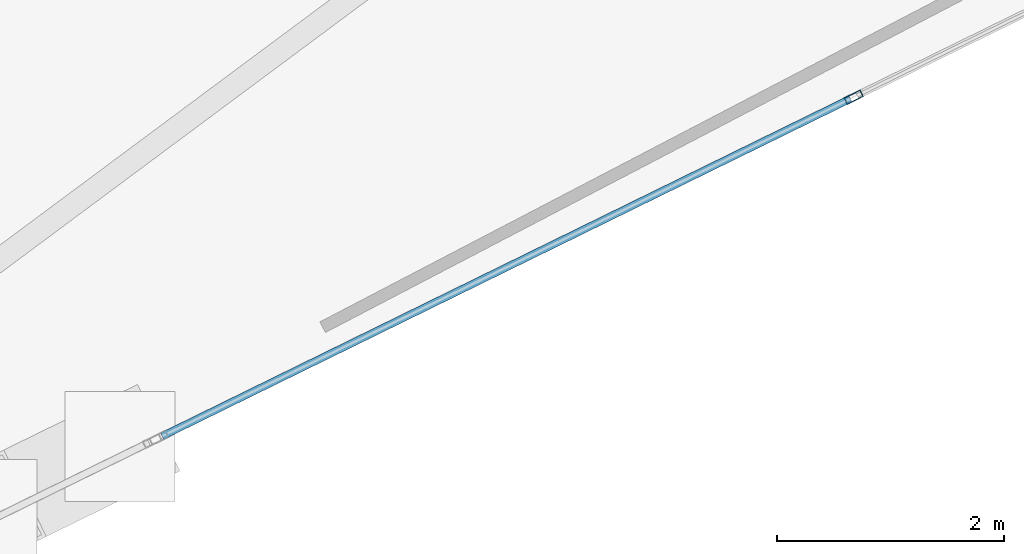
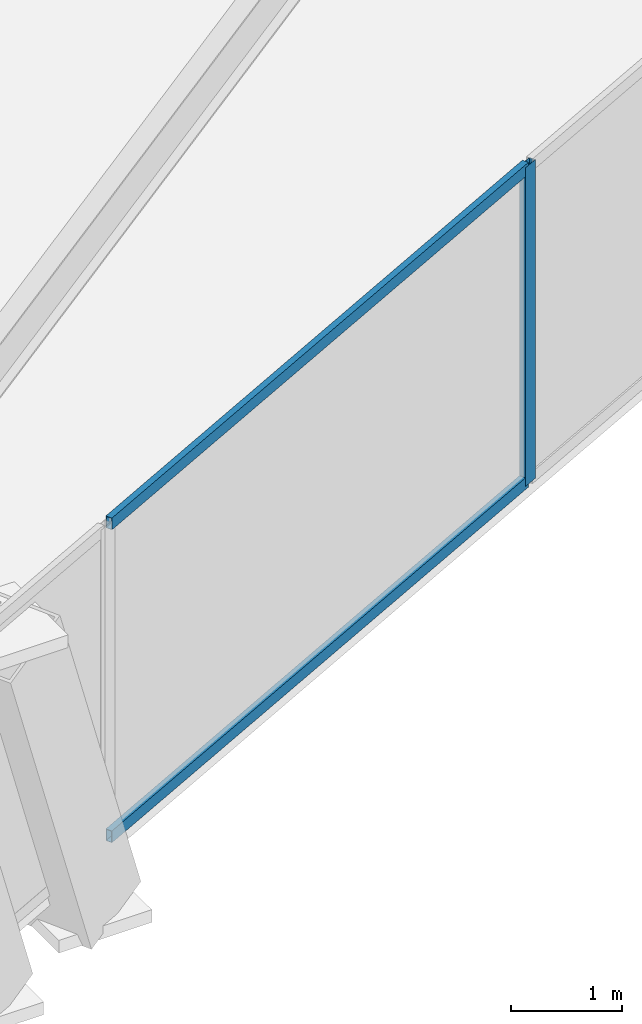
# One storey, part 7 of 22: 3 members, 1 element without a shape of its own.
"""IFC4 building model written with IfcOpenShell, lengths in metres."""

from ifc_helpers import new_model, si_unit, direction, frame, origin, origin_2d, place, context, subcontext, project, spatial, hollow_rectangle, extrude, material, layer, layer_set, material_profile, profile_set, type_object, element, aggregate, save


model = new_model("IFC4")

# Units and contexts
model_context = context("Model", 3, precision=1e-05, world=origin(), true_north=direction((0.0, 1.0)))
body_context = subcontext(model_context, "Body", "Model", "MODEL_VIEW")
ifc_project = project(units=[si_unit("LENGTHUNIT", "METRE"), si_unit("AREAUNIT", "SQUARE_METRE"), si_unit("VOLUMEUNIT", "CUBIC_METRE"), si_unit("PLANEANGLEUNIT", "RADIAN"), si_unit("MASSUNIT", "GRAM", prefix="KILO")], contexts=[model_context])

# Site, building, storey
site_placement = place(None, origin())
site = spatial("IfcSite", under=ifc_project, at=site_placement, CompositionType="ELEMENT")
building_placement = place(site_placement, origin())
building = spatial("IfcBuilding", under=site, at=building_placement, Name="Qianvela Tower", CompositionType="ELEMENT")
storey_placement = place(building_placement, frame((0.0, 0.0, 158.699951171875)))
storey = spatial("IfcBuildingStorey", under=building, at=storey_placement, Name="L40", CompositionType="ELEMENT", Elevation=158.699951171875)

# Curtain wall, members
ifc_material_1 = material(Name="Anodised Architectural Aluminium and Low-E Glass", Category="aluminium")
ifc_layer = layer(ifc_material_1, 0.169921875)
ifc_layer_set = layer_set([ifc_layer], Name="Anodised Architectural Aluminium and Low-E Glass")
curtain_wall_type = type_object("IfcCurtainWallType", Name="CW-COLIV-Z34", PredefinedType="USERDEFINED", material=ifc_layer_set)
curtain_wall_placement = place(storey_placement, origin())
curtain_wall = element("IfcCurtainWall", 1, at=curtain_wall_placement, inside=storey, type_object=curtain_wall_type, Name="L40 CW-COLIV-Z34 Curtain Wall 06C", ObjectType="CURTAIN_WALL_SYSTEM", PredefinedType="USERDEFINED")
ifc_material_2 = material(Name="Anodised Architectural Aluminium 6063-T6", Category="aluminium")
ifc_material_profile_1 = material_profile(ifc_material_2, hollow_rectangle(XDim=0.06494140625, YDim=0.159912109375, WallThickness=0.0048828125, at=origin_2d()), Name="ALU-MULL-65x160")
ifc_profile_set_1 = profile_set([ifc_material_profile_1], Name="Anodised Architectural Aluminium 6063-T6")
member_type_1 = type_object("IfcMemberType", Name="CW-COLIV-Z34-MULL", PredefinedType="MULLION", material=ifc_profile_set_1)
member_1_placement = place(storey_placement, frame((52.139404296875, 19.5146484375, 0.0), z_axis=(0.0, 0.0, 1.0), x_axis=(-0.44014326681, 0.897927560932, 0.0)))
member_1 = element("IfcMember", 2, at=member_1_placement, type_object=member_type_1, Name="CW-4 mullion 2", PredefinedType="MULLION", context=body_context, shape_type="SweptSolid", body=[
    extrude(hollow_rectangle(XDim=0.06494140625, YDim=0.159912109375, WallThickness=0.0048828125, at=origin_2d()), origin(), (0.0, 0.0, 1.0), 3.52001953125),
])
ifc_material_3 = material(Name="Anodised Architectural Aluminium 6063-T6", Category="aluminium")
ifc_material_profile_2 = material_profile(ifc_material_3, hollow_rectangle(XDim=0.06494140625, YDim=0.1298828125, WallThickness=0.00439453125, at=origin_2d()), Name="ALU-TRAN-65x130")
ifc_profile_set_2 = profile_set([ifc_material_profile_2], Name="Anodised Architectural Aluminium 6063-T6")
member_type_2 = type_object("IfcMemberType", Name="CW-COLIV-Z34-TRAN", PredefinedType="USERDEFINED", material=ifc_profile_set_2)
member_2_placement = place(storey_placement, frame((46.04150390625, 16.525390625, 0.032470703125), z_axis=(0.897924921637, 0.440148651144, 0.0), x_axis=(-0.440148651144, 0.897924921637, 0.0)))
member_2 = element("IfcMember", 3, at=member_2_placement, type_object=member_type_2, Name="CW-4 transom 1.1", ObjectType="TRANSOM", PredefinedType="USERDEFINED", context=body_context, shape_type="SweptSolid", body=[
    extrude(hollow_rectangle(XDim=0.06494140625, YDim=0.1298828125, WallThickness=0.00439453125, at=origin_2d()), origin(), (0.0, 0.0, 1.0), 6.7587890625),
])
member_3_placement = place(storey_placement, frame((46.04150390625, 16.525390625, 3.487548828125), z_axis=(0.897924921637, 0.440148651144, 0.0), x_axis=(-0.440148651144, 0.897924921637, 0.0)))
member_3 = element("IfcMember", 4, at=member_3_placement, type_object=member_type_2, Name="CW-4 transom 1.2", ObjectType="TRANSOM", PredefinedType="USERDEFINED", context=body_context, shape_type="SweptSolid", body=[
    extrude(hollow_rectangle(XDim=0.06494140625, YDim=0.1298828125, WallThickness=0.00439453125, at=origin_2d()), origin(), (0.0, 0.0, 1.0), 6.7587890625),
])
aggregate(curtain_wall, [member_1, member_2, member_3])

save(model, "model.ifc")
